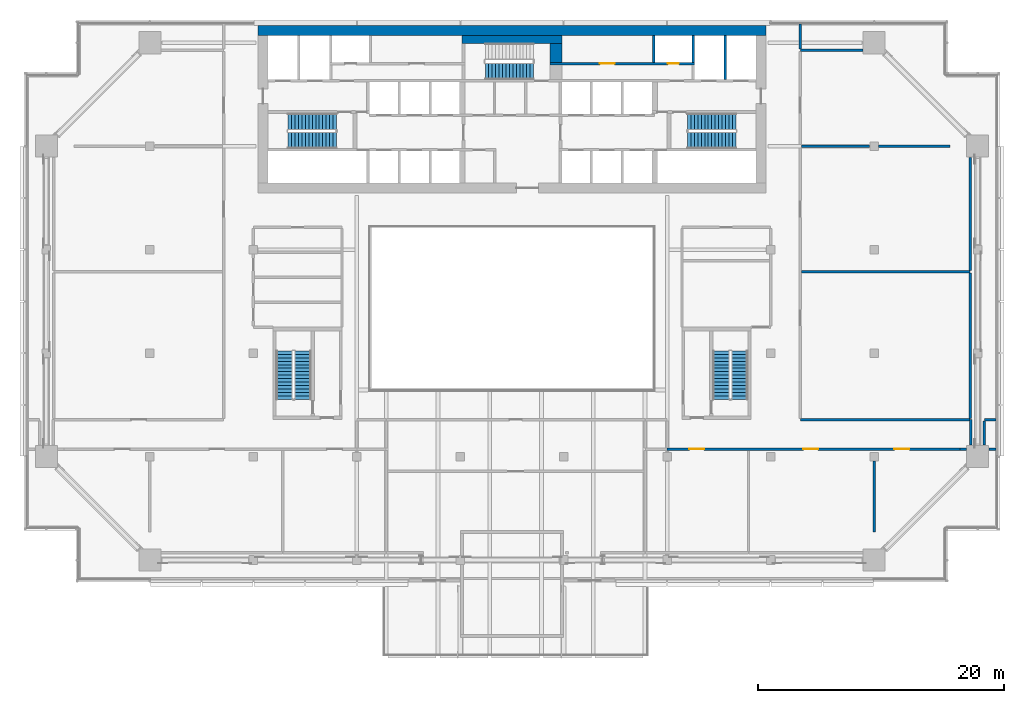
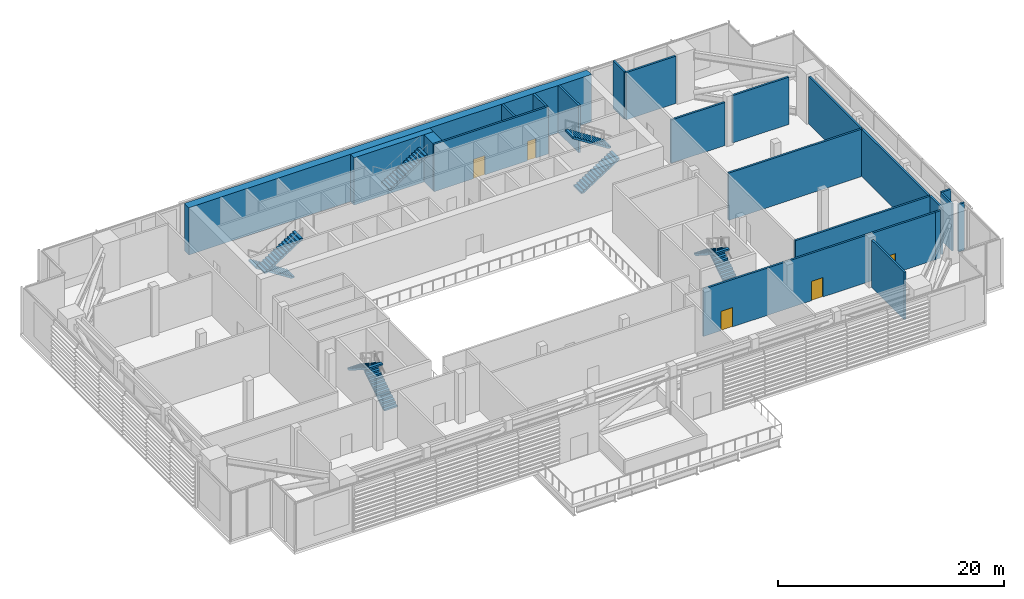
# One storey, part 17 of 29: 22 walls, 9 stair flights, 5 doors, 5 openings, 5 elements without a shape of their own.
"""IFC4 building model written with IfcOpenShell, lengths in metres."""

from ifc_helpers import new_model, si_unit, direction, frame, frame_2d, origin, place, context, subcontext, project, spatial, polyline, rectangle, outline, extrude, material, layer, layer_set, type_object, element, fill, aggregate, save


model = new_model("IFC4")

# Units and contexts
model_context = context("Model", 3, precision=1e-05, world=origin(), true_north=direction((0.0, 1.0)))
body_context = subcontext(model_context, "Body", "Model", "MODEL_VIEW")
ifc_project = project(units=[si_unit("LENGTHUNIT", "METRE"), si_unit("AREAUNIT", "SQUARE_METRE"), si_unit("VOLUMEUNIT", "CUBIC_METRE"), si_unit("PLANEANGLEUNIT", "RADIAN"), si_unit("MASSUNIT", "GRAM", prefix="KILO")], contexts=[model_context])

# Site, building, storey
site_placement = place(None, origin())
site = spatial("IfcSite", under=ifc_project, at=site_placement, CompositionType="ELEMENT")
building_placement = place(site_placement, origin())
building = spatial("IfcBuilding", under=site, at=building_placement, Name="Saffron Gate Tower", CompositionType="ELEMENT")
storey_placement = place(building_placement, frame((0.0, 0.0, 142.050048828125)))
storey = spatial("IfcBuildingStorey", under=building, at=storey_placement, Name="L34", CompositionType="ELEMENT", Elevation=142.050048828125)

# Walls
ifc_material_1 = material(Name="Concrete C60", Category="concrete")
ifc_layer_1 = layer(ifc_material_1, 0.800048828125)
ifc_layer_set_1 = layer_set([ifc_layer_1], Name="CW13 RC core wall 800 C60")
wall_type_1 = type_object("IfcWallType", Name="CW13 RC core wall 800 C60", PredefinedType="SOLIDWALL", material=ifc_layer_set_1)
wall_1_placement = place(storey_placement, frame((67.0, 74.800048828125, 0.0), z_axis=(0.0, 0.0, 1.0), x_axis=(1.0, 0.0, 0.0)))
element("IfcWall", 1, at=wall_1_placement, inside=storey, type_object=wall_type_1, Name="Wall CW13-L34-2", PredefinedType="SOLIDWALL", context=body_context, shape_type="SweptSolid", body=[
    extrude(rectangle(XDim=41.199951171875, YDim=0.800048828125, at=frame_2d((20.60009765625, 0.0))), origin(), (0.0, 0.0, 1.0), 5.119873046875),
])
ifc_layer_2 = layer(ifc_material_1, 0.199951171875)
ifc_layer_set_2 = layer_set([ifc_layer_2], Name="CW15 RC core wall 200 C60")
wall_type_2 = type_object("IfcWallType", Name="CW15 RC core wall 200 C60", PredefinedType="SOLIDWALL", material=ifc_layer_set_2)
wall_2_placement = place(storey_placement, frame((104.89990234375, 70.800048828125, 0.0), z_axis=(0.0, 0.0, 1.0), x_axis=(0.0, 1.0, 0.0)))
element("IfcWall", 2, at=wall_2_placement, inside=storey, type_object=wall_type_2, Name="Wall CW15-L34-40", PredefinedType="SOLIDWALL", context=body_context, shape_type="SweptSolid", body=[
    extrude(rectangle(XDim=3.599853515625, YDim=0.199951171875, at=frame_2d((1.7998046875, 0.0))), origin(), (0.0, 0.0, 1.0), 5.119873046875),
])

# Wall, openings, doors
wall_3_placement = place(storey_placement, frame((90.699951171875, 72.10009765625, 0.0), z_axis=(0.0, 0.0, 1.0), x_axis=(1.0, 0.0, 0.0)))
wall_3 = element("IfcWall", 3, at=wall_3_placement, inside=storey, type_object=wall_type_2, Name="Wall CW15-L34-42", PredefinedType="SOLIDWALL", context=body_context, shape_type="SweptSolid", body=[
    extrude(rectangle(XDim=11.699951171875, YDim=0.199951171875, at=frame_2d((5.85009765625, 0.0))), origin(), (0.0, 0.0, 1.0), 5.119873046875),
])
opening_1_placement = place(wall_3_placement, frame((4.02490234375, 0.0, 0.0)))
opening_1 = element("IfcOpeningElement", 4, at=opening_1_placement, cuts=wall_3, Name="Opening CR-52", PredefinedType="OPENING", context=body_context, shape_type="SweptSolid", body=[
    extrude(rectangle(XDim=1.199951171875, YDim=2.10009765625, at=frame_2d((0.60009765625, 1.050048828125))), frame((0.0, 0.10986328125, 0.0), z_axis=(0.0, -1.0, 0.0), x_axis=(1.0, 0.0, 0.0)), (0.0, 0.0, 1.0), 0.219970703125),
])
opening_2_placement = place(wall_3_placement, frame((9.550048828125, 0.0, 0.0)))
opening_2 = element("IfcOpeningElement", 5, at=opening_2_placement, cuts=wall_3, Name="Opening CR-70", PredefinedType="OPENING", context=body_context, shape_type="SweptSolid", body=[
    extrude(rectangle(XDim=0.89990234375, YDim=2.10009765625, at=frame_2d((0.449951171875, 1.050048828125))), frame((0.0, 0.10986328125, 0.0), z_axis=(0.0, -1.0, 0.0), x_axis=(1.0, 0.0, 0.0)), (0.0, 0.0, 1.0), 0.219970703125),
])
ifc_material_2 = material(Name="Steel fire door set", Category="steel")
door_type_1 = type_object("IfcDoorType", Name="CD10 Room door 1200x2100 EI 60", OperationType="NOTDEFINED", PredefinedType="DOOR", material=ifc_material_2)
door_1_placement = place(opening_1_placement, origin())
door_1 = element("IfcDoor", 6, at=door_1_placement, inside=storey, type_object=door_type_1, Name="DOOR CR-52", OperationType="SINGLE_SWING_LEFT", OverallHeight=2.10009765625, OverallWidth=1.199951171875, PredefinedType="DOOR", context=body_context, shape_type="SweptSolid", body=[
    extrude(rectangle(XDim=1.199951171875, YDim=2.10009765625, at=frame_2d((0.60009765625, 1.050048828125))), frame((0.0, 0.02490234375, 0.0), z_axis=(0.0, -1.0, 0.0), x_axis=(1.0, 0.0, 0.0)), (0.0, 0.0, 1.0), 0.050048828125),
])
fill(opening_1, door_1)
door_type_2 = type_object("IfcDoorType", Name="CD2 Riser door 900x2100 EI 60", OperationType="NOTDEFINED", PredefinedType="DOOR", material=ifc_material_2)
door_2_placement = place(opening_2_placement, origin())
door_2 = element("IfcDoor", 7, at=door_2_placement, inside=storey, type_object=door_type_2, Name="DOOR CR-70", OperationType="SINGLE_SWING_LEFT", OverallHeight=2.10009765625, OverallWidth=0.89990234375, PredefinedType="DOOR", context=body_context, shape_type="SweptSolid", body=[
    extrude(rectangle(XDim=0.89990234375, YDim=2.10009765625, at=frame_2d((0.449951171875, 1.050048828125))), frame((0.0, 0.02490234375, 0.0), z_axis=(0.0, -1.0, 0.0), x_axis=(1.0, 0.0, 0.0)), (0.0, 0.0, 1.0), 0.050048828125),
])
fill(opening_2, door_2)

# Walls
for number, where, z_axis, x_axis, name in (
    (8, (99.10009765625, 72.199951171875, 0.0), (0.0, 0.0, 1.0), (0.0, 1.0, 0.0), "Wall CW15-L34-47"),
    (9, (102.300048828125, 72.199951171875, 0.0), (0.0, 0.0, 1.0), (0.0, 1.0, 0.0), "Wall CW15-L34-48"),
):
    element("IfcWall", number, at=place(storey_placement, frame(where, z_axis=z_axis, x_axis=x_axis)), inside=storey, type_object=wall_type_2, Name=name, PredefinedType="SOLIDWALL", context=body_context, shape_type="SweptSolid", body=[
        extrude(rectangle(XDim=2.199951171875, YDim=0.199951171875, at=frame_2d((1.10009765625, 0.0))), origin(), (0.0, 0.0, 1.0), 5.119873046875),
    ])
ifc_layer_3 = layer(ifc_material_1, 0.949951171875)
ifc_layer_set_3 = layer_set([ifc_layer_3], Name="CW19 RC core wall 950 C60")
wall_type_3 = type_object("IfcWallType", Name="CW19 RC core wall 950 C60", PredefinedType="SOLIDWALL", material=ifc_layer_set_3)
wall_4_placement = place(storey_placement, frame((91.175048828125, 72.199951171875, 0.0), z_axis=(0.0, 0.0, 1.0), x_axis=(0.0, 1.0, 0.0)))
element("IfcWall", 10, at=wall_4_placement, inside=storey, type_object=wall_type_3, Name="Wall CW19-L34-46", PredefinedType="SOLIDWALL", context=body_context, shape_type="SweptSolid", body=[
    extrude(rectangle(XDim=1.550048828125, YDim=0.949951171875, at=frame_2d((0.77490234375, 0.0))), origin(), (0.0, 0.0, 1.0), 5.119873046875),
])
ifc_layer_4 = layer(ifc_material_1, 0.64990234375)
ifc_layer_set_4 = layer_set([ifc_layer_4], Name="CW20 RC core wall 650 C60")
wall_type_4 = type_object("IfcWallType", Name="CW20 RC core wall 650 C60", PredefinedType="SOLIDWALL", material=ifc_layer_set_4)
wall_5_placement = place(storey_placement, frame((83.550048828125, 74.074951171875, 0.0), z_axis=(0.0, 0.0, 1.0), x_axis=(1.0, 0.0, 0.0)))
element("IfcWall", 11, at=wall_5_placement, inside=storey, type_object=wall_type_4, Name="Wall CW20-L34-49", PredefinedType="SOLIDWALL", context=body_context, shape_type="SweptSolid", body=[
    extrude(rectangle(XDim=8.099853515625, YDim=0.64990234375, at=frame_2d((4.0498046875, 0.0))), origin(), (0.0, 0.0, 1.0), 5.119873046875),
])

# Wall, openings, doors
ifc_material_3 = material(Name="Clay brick masonry, rendered", Category="masonry")
ifc_layer_5 = layer(ifc_material_3, 0.199951171875)
ifc_layer_set_5 = layer_set([ifc_layer_5], Name="PW3 Corridor wall 200")
wall_type_5 = type_object("IfcWallType", Name="PW3 Corridor wall 200", PredefinedType="PARTITIONING", material=ifc_layer_set_5)
wall_6_placement = place(storey_placement, frame((123.948486328125, 40.800048828125, 0.0), z_axis=(0.0, 0.0, 1.0), x_axis=(-1.0, 0.0, 0.0)))
wall_6 = element("IfcWall", 12, at=wall_6_placement, inside=storey, type_object=wall_type_5, Name="Wall SL-10", PredefinedType="PARTITIONING", context=body_context, shape_type="SweptSolid", body=[
    extrude(rectangle(XDim=23.74853515625, YDim=0.199951171875, at=frame_2d((11.874267578125, 0.0))), origin(), (0.0, 0.0, 1.0), 5.119873046875),
])
opening_3_placement = place(wall_6_placement, frame((4.098388671875, 0.0, 0.0)))
opening_3 = element("IfcOpeningElement", 13, at=opening_3_placement, cuts=wall_6, Name="Opening SL-9", PredefinedType="OPENING", context=body_context, shape_type="SweptSolid", body=[
    extrude(rectangle(XDim=1.199951171875, YDim=2.10009765625, at=frame_2d((0.60009765625, 1.050048828125))), frame((0.0, 0.10986328125, 0.0), z_axis=(0.0, -1.0, 0.0), x_axis=(1.0, 0.0, 0.0)), (0.0, 0.0, 1.0), 0.219970703125),
])
opening_4_placement = place(wall_6_placement, frame((11.497314453125, 0.0, 0.0)))
opening_4 = element("IfcOpeningElement", 14, at=opening_4_placement, cuts=wall_6, Name="Opening SL-8", PredefinedType="OPENING", context=body_context, shape_type="SweptSolid", body=[
    extrude(rectangle(XDim=1.199951171875, YDim=2.10009765625, at=frame_2d((0.60009765625, 1.050048828125))), frame((0.0, 0.10986328125, 0.0), z_axis=(0.0, -1.0, 0.0), x_axis=(1.0, 0.0, 0.0)), (0.0, 0.0, 1.0), 0.219970703125),
])
opening_5_placement = place(wall_6_placement, frame((20.74853515625, 0.0, 0.0)))
opening_5 = element("IfcOpeningElement", 15, at=opening_5_placement, cuts=wall_6, Name="Opening SL-7", PredefinedType="OPENING", context=body_context, shape_type="SweptSolid", body=[
    extrude(rectangle(XDim=1.199951171875, YDim=2.10009765625, at=frame_2d((0.60009765625, 1.050048828125))), frame((0.0, 0.10986328125, 0.0), z_axis=(0.0, -1.0, 0.0), x_axis=(1.0, 0.0, 0.0)), (0.0, 0.0, 1.0), 0.219970703125),
])
ifc_material_4 = material(Name="Timber door set", Category="wood")
door_type_3 = type_object("IfcDoorType", Name="HD1 Hall door 1200x2100", OperationType="NOTDEFINED", PredefinedType="DOOR", material=ifc_material_4)
door_3_placement = place(opening_3_placement, origin())
door_3 = element("IfcDoor", 16, at=door_3_placement, inside=storey, type_object=door_type_3, Name="Door SL-9", OperationType="SINGLE_SWING_RIGHT", OverallHeight=2.10009765625, OverallWidth=1.199951171875, PredefinedType="DOOR", context=body_context, shape_type="SweptSolid", body=[
    extrude(rectangle(XDim=1.199951171875, YDim=2.10009765625, at=frame_2d((0.60009765625, 1.050048828125))), frame((0.0, 0.02490234375, 0.0), z_axis=(0.0, -1.0, 0.0), x_axis=(1.0, 0.0, 0.0)), (0.0, 0.0, 1.0), 0.050048828125),
])
fill(opening_3, door_3)
door_4_placement = place(opening_4_placement, origin())
door_4 = element("IfcDoor", 17, at=door_4_placement, inside=storey, type_object=door_type_3, Name="Door SL-8", OperationType="SINGLE_SWING_RIGHT", OverallHeight=2.10009765625, OverallWidth=1.199951171875, PredefinedType="DOOR", context=body_context, shape_type="SweptSolid", body=[
    extrude(rectangle(XDim=1.199951171875, YDim=2.10009765625, at=frame_2d((0.60009765625, 1.050048828125))), frame((0.0, 0.02490234375, 0.0), z_axis=(0.0, -1.0, 0.0), x_axis=(1.0, 0.0, 0.0)), (0.0, 0.0, 1.0), 0.050048828125),
])
fill(opening_4, door_4)
door_5_placement = place(opening_5_placement, origin())
door_5 = element("IfcDoor", 18, at=door_5_placement, inside=storey, type_object=door_type_3, Name="Door SL-7", OperationType="SINGLE_SWING_RIGHT", OverallHeight=2.10009765625, OverallWidth=1.199951171875, PredefinedType="DOOR", context=body_context, shape_type="SweptSolid", body=[
    extrude(rectangle(XDim=1.199951171875, YDim=2.10009765625, at=frame_2d((0.60009765625, 1.050048828125))), frame((0.0, 0.02490234375, 0.0), z_axis=(0.0, -1.0, 0.0), x_axis=(1.0, 0.0, 0.0)), (0.0, 0.0, 1.0), 0.050048828125),
])
fill(opening_5, door_5)

# Walls
wall_7_placement = place(storey_placement, frame((111.0, 43.199951171875, 0.0), z_axis=(0.0, 0.0, 1.0), x_axis=(1.0, 0.0, 0.0)))
element("IfcWall", 19, at=wall_7_placement, inside=storey, type_object=wall_type_5, Name="Wall SL-19", PredefinedType="PARTITIONING", context=body_context, shape_type="SweptSolid", body=[
    extrude(rectangle(XDim=13.800048828125, YDim=0.199951171875, at=frame_2d((6.89990234375, 0.0))), origin(), (0.0, 0.0, 1.0), 5.119873046875),
])
ifc_layer_6 = layer(ifc_material_3, 0.199951171875)
ifc_layer_set_6 = layer_set([ifc_layer_6], Name="PW5 Room wall 200")
wall_type_6 = type_object("IfcWallType", Name="PW5 Room wall 200", PredefinedType="PARTITIONING", material=ifc_layer_set_6)
wall_8_placement = place(storey_placement, frame((123.968505859375, 40.800048828125, 0.0), z_axis=(0.0, 0.0, 1.0), x_axis=(1.0, 0.0, 0.0)))
element("IfcWall", 20, at=wall_8_placement, inside=storey, type_object=wall_type_6, Name="Wall SL-15", PredefinedType="PARTITIONING", context=body_context, shape_type="SweptSolid", body=[
    extrude(rectangle(XDim=0.511474609375, YDim=0.199951171875, at=frame_2d((0.255859375, 0.0))), origin(), (0.0, 0.0, 1.0), 5.119873046875),
])
wall_9_placement = place(storey_placement, frame((126.320068359375, 40.800048828125, 0.0), z_axis=(0.0, 0.0, 1.0), x_axis=(1.0, 0.0, 0.0)))
element("IfcWall", 21, at=wall_9_placement, inside=storey, type_object=wall_type_6, Name="Wall SL-16", PredefinedType="PARTITIONING", context=body_context, shape_type="SweptSolid", body=[
    extrude(rectangle(XDim=0.579833984375, YDim=0.199951171875, at=frame_2d((0.2900390625, 0.0))), origin(), (0.0, 0.0, 1.0), 5.119873046875),
])
wall_10_placement = place(storey_placement, frame((125.949951171875, 43.199951171875, 0.0), z_axis=(0.0, 0.0, 1.0), x_axis=(1.0, 0.0, 0.0)))
element("IfcWall", 22, at=wall_10_placement, inside=storey, type_object=wall_type_6, Name="Wall SL-23", PredefinedType="PARTITIONING", context=body_context, shape_type="SweptSolid", body=[
    extrude(rectangle(XDim=0.949951171875, YDim=0.199951171875, at=frame_2d((0.47509765625, 0.0))), origin(), (0.0, 0.0, 1.0), 5.119873046875),
])
wall_11_placement = place(storey_placement, frame((111.10009765625, 55.199951171875, 0.0), z_axis=(0.0, 0.0, 1.0), x_axis=(1.0, 0.0, 0.0)))
element("IfcWall", 23, at=wall_11_placement, inside=storey, type_object=wall_type_6, Name="Wall SL-29", PredefinedType="PARTITIONING", context=body_context, shape_type="SweptSolid", body=[
    extrude(rectangle(XDim=13.699951171875, YDim=0.199951171875, at=frame_2d((6.85009765625, 0.0))), origin(), (0.0, 0.0, 1.0), 5.119873046875),
])
wall_12_placement = place(storey_placement, frame((111.10009765625, 65.39990234375, 0.0), z_axis=(0.0, 0.0, 1.0), x_axis=(1.0, 0.0, 0.0)))
element("IfcWall", 24, at=wall_12_placement, inside=storey, type_object=wall_type_6, Name="Wall SL-36", PredefinedType="PARTITIONING", context=body_context, shape_type="SweptSolid", body=[
    extrude(rectangle(XDim=5.52978515625, YDim=0.199951171875, at=frame_2d((2.764892578125, 0.0))), origin(), (0.0, 0.0, 1.0), 4.669921875),
])
wall_13_placement = place(storey_placement, frame((117.3701171875, 65.39990234375, 0.0), z_axis=(0.0, 0.0, 1.0), x_axis=(1.0, 0.0, 0.0)))
element("IfcWall", 25, at=wall_13_placement, inside=storey, type_object=wall_type_6, Name="Wall SL-37", PredefinedType="PARTITIONING", context=body_context, shape_type="SweptSolid", body=[
    extrude(rectangle(XDim=5.76708984375, YDim=0.199951171875, at=frame_2d((2.883544921875, 0.0))), origin(), (0.0, 0.0, 1.0), 5.119873046875),
])
wall_14_placement = place(storey_placement, frame((111.02001953125, 73.199951171875, 0.0), z_axis=(0.0, 0.0, 1.0), x_axis=(1.0, 0.0, 0.0)))
element("IfcWall", 26, at=wall_14_placement, inside=storey, type_object=wall_type_6, Name="Wall SL-39", PredefinedType="PARTITIONING", context=body_context, shape_type="SweptSolid", body=[
    extrude(rectangle(XDim=5.06005859375, YDim=0.199951171875, at=frame_2d((2.530029296875, 0.0))), origin(), (0.0, 0.0, 1.0), 5.119873046875),
])
wall_15_placement = place(storey_placement, frame((111.0, 75.300048828125, 0.0), z_axis=(0.0, 0.0, 1.0), x_axis=(0.0, -1.0, 0.0)))
element("IfcWall", 27, at=wall_15_placement, inside=storey, type_object=wall_type_6, Name="Wall SL-62", PredefinedType="PARTITIONING", context=body_context, shape_type="SweptSolid", body=[
    extrude(rectangle(XDim=2.0, YDim=0.199951171875, at=frame_2d((1.0, 0.0))), origin(), (0.0, 0.0, 1.0), 5.119873046875),
])
wall_16_placement = place(storey_placement, frame((117.0, 39.830078125, 0.0), z_axis=(0.0, 0.0, 1.0), x_axis=(0.0, -1.0, 0.0)))
element("IfcWall", 28, at=wall_16_placement, inside=storey, type_object=wall_type_6, Name="Wall SL-63", PredefinedType="PARTITIONING", context=body_context, shape_type="SweptSolid", body=[
    extrude(rectangle(XDim=5.767333984375, YDim=0.199951171875, at=frame_2d((2.8837890625, 0.0))), origin(), (0.0, 0.0, 1.0), 5.119873046875),
])
wall_17_placement = place(storey_placement, frame((124.800048828125, 55.10009765625, 0.0), z_axis=(0.0, 0.0, 1.0), x_axis=(0.0, -1.0, 0.0)))
element("IfcWall", 29, at=wall_17_placement, inside=storey, type_object=wall_type_6, Name="Wall SL-64", PredefinedType="PARTITIONING", context=body_context, shape_type="SweptSolid", body=[
    extrude(rectangle(XDim=11.800048828125, YDim=0.199951171875, at=frame_2d((5.89990234375, 0.0))), origin(), (0.0, 0.0, 1.0), 5.119873046875),
])
wall_18_placement = place(storey_placement, frame((124.800048828125, 64.47998046875, 0.0), z_axis=(0.0, 0.0, 1.0), x_axis=(0.0, -1.0, 0.0)))
element("IfcWall", 30, at=wall_18_placement, inside=storey, type_object=wall_type_6, Name="Wall SL-65", PredefinedType="PARTITIONING", context=body_context, shape_type="SweptSolid", body=[
    extrude(rectangle(XDim=9.179931640625, YDim=0.199951171875, at=frame_2d((4.58984375, 0.0))), origin(), (0.0, 0.0, 1.0), 5.119873046875),
])
wall_19_placement = place(storey_placement, frame((124.85009765625, 43.199951171875, 0.0), z_axis=(0.0, 0.0, 1.0), x_axis=(0.0, -1.0, 0.0)))
element("IfcWall", 31, at=wall_19_placement, inside=storey, type_object=wall_type_6, Name="Wall SL-66", PredefinedType="PARTITIONING", context=body_context, shape_type="SweptSolid", body=[
    extrude(rectangle(XDim=2.079833984375, YDim=0.199951171875, at=frame_2d((1.0400390625, 0.0))), origin(), (0.0, 0.0, 1.0), 5.119873046875),
])
wall_20_placement = place(storey_placement, frame((125.949951171875, 43.10009765625, 0.0), z_axis=(0.0, 0.0, 1.0), x_axis=(0.0, -1.0, 0.0)))
element("IfcWall", 32, at=wall_20_placement, inside=storey, type_object=wall_type_6, Name="Wall SL-67", PredefinedType="PARTITIONING", context=body_context, shape_type="SweptSolid", body=[
    extrude(rectangle(XDim=1.97998046875, YDim=0.199951171875, at=frame_2d((0.989990234375, 0.0))), origin(), (0.0, 0.0, 1.0), 5.119873046875),
])

# Stair, stair flights
ifc_material_5 = material(Name="Concrete C40", Category="concrete")
stair_type = type_object("IfcStairType", Name="ST4 Stair 1350 wide, 30 risers of 180", PredefinedType="HALF_TURN_STAIR", material=ifc_material_5)
stair_1_placement = place(storey_placement, origin())
stair_1 = element("IfcStair", 33, at=stair_1_placement, inside=storey, type_object=stair_type, Name="L34 Exit stair A", PredefinedType="HALF_TURN_STAIR")
stair_flight_type = type_object("IfcStairFlightType", Name="SF3 Stair flight 1350 wide, riser 180 going 280", PredefinedType="STRAIGHT", material=ifc_material_5)
stair_flight_1_placement = place(storey_placement, frame((73.35009765625, 67.375, 0.0), z_axis=(0.0, 0.0, 1.0), x_axis=(-1.0, 0.0, 0.0)))
stair_flight_1 = element("IfcStairFlight", 34, at=stair_flight_1_placement, type_object=stair_flight_type, Name="ST-A flight 1", NumberOfRisers=15, NumberOfTreads=14, PredefinedType="STRAIGHT", RiserHeight=0.18, TreadLength=0.28, context=body_context, shape_type="SweptSolid", body=[
    extrude(outline(polyline([(0.0, 0.0), (0.0, 0.179931640625), (0.280029296875, 0.179931640625), (0.280029296875, 0.360107421875), (0.56005859375, 0.360107421875), (0.56005859375, 0.5400390625), (0.840087890625, 0.5400390625), (0.840087890625, 0.719970703125), (1.1201171875, 0.719970703125), (1.1201171875, 0.89990234375), (1.39990234375, 0.89990234375), (1.39990234375, 1.080078125), (1.679931640625, 1.080078125), (1.679931640625, 1.260009765625), (1.9599609375, 1.260009765625), (1.9599609375, 1.43994140625), (2.239990234375, 1.43994140625), (2.239990234375, 1.6201171875), (2.52001953125, 1.6201171875), (2.52001953125, 1.800048828125), (2.800048828125, 1.800048828125), (2.800048828125, 1.97998046875), (3.080078125, 1.97998046875), (3.080078125, 2.159912109375), (3.360107421875, 2.159912109375), (3.360107421875, 2.340087890625), (3.639892578125, 2.340087890625), (3.639892578125, 2.52001953125), (3.919921875, 2.52001953125), (3.919921875, 2.699951171875), (3.919921875, 2.341796875), (0.277099609375, 0.0), (0.0, 0.0)])), frame((0.0, 0.675048828125, 0.0), z_axis=(0.0, -1.0, 0.0), x_axis=(1.0, 0.0, 0.0)), (0.0, 0.0, 1.0), 1.35009765625),
])
stair_flight_2_placement = place(storey_placement, frame((69.429931640625, 65.875, 2.699951171875), z_axis=(0.0, 0.0, 1.0), x_axis=(1.0, 0.0, 0.0)))
stair_flight_2 = element("IfcStairFlight", 35, at=stair_flight_2_placement, type_object=stair_flight_type, Name="ST-A flight 2", NumberOfRisers=15, NumberOfTreads=14, PredefinedType="STRAIGHT", RiserHeight=0.18, TreadLength=0.28, context=body_context, shape_type="SweptSolid", body=[
    extrude(outline(polyline([(0.0, 0.0), (0.0, 0.179931640625), (0.280029296875, 0.179931640625), (0.280029296875, 0.360107421875), (0.56005859375, 0.360107421875), (0.56005859375, 0.5400390625), (0.840087890625, 0.5400390625), (0.840087890625, 0.719970703125), (1.1201171875, 0.719970703125), (1.1201171875, 0.89990234375), (1.39990234375, 0.89990234375), (1.39990234375, 1.080078125), (1.679931640625, 1.080078125), (1.679931640625, 1.260009765625), (1.9599609375, 1.260009765625), (1.9599609375, 1.43994140625), (2.239990234375, 1.43994140625), (2.239990234375, 1.6201171875), (2.52001953125, 1.6201171875), (2.52001953125, 1.800048828125), (2.800048828125, 1.800048828125), (2.800048828125, 1.97998046875), (3.080078125, 1.97998046875), (3.080078125, 2.159912109375), (3.360107421875, 2.159912109375), (3.360107421875, 2.340087890625), (3.639892578125, 2.340087890625), (3.639892578125, 2.52001953125), (3.919921875, 2.52001953125), (3.919921875, 2.699951171875), (3.919921875, 2.341796875), (0.277099609375, 0.0), (0.0, 0.0)])), frame((0.0, 0.675048828125, 0.0), z_axis=(0.0, -1.0, 0.0), x_axis=(1.0, 0.0, 0.0)), (0.0, 0.0, 1.0), 1.35009765625),
])
aggregate(stair_1, [stair_flight_1, stair_flight_2])

stair_2_placement = place(storey_placement, origin())
stair_2 = element("IfcStair", 36, at=stair_2_placement, inside=storey, type_object=stair_type, Name="L34 Exit stair B", PredefinedType="HALF_TURN_STAIR")
stair_flight_3_placement = place(storey_placement, frame((101.85009765625, 65.875, 0.0), z_axis=(0.0, 0.0, 1.0), x_axis=(1.0, 0.0, 0.0)))
stair_flight_3 = element("IfcStairFlight", 37, at=stair_flight_3_placement, type_object=stair_flight_type, Name="ST-B flight 1", NumberOfRisers=15, NumberOfTreads=14, PredefinedType="STRAIGHT", RiserHeight=0.18, TreadLength=0.28, context=body_context, shape_type="SweptSolid", body=[
    extrude(outline(polyline([(0.0, 0.0), (0.0, 0.179931640625), (0.280029296875, 0.179931640625), (0.280029296875, 0.360107421875), (0.56005859375, 0.360107421875), (0.56005859375, 0.5400390625), (0.840087890625, 0.5400390625), (0.840087890625, 0.719970703125), (1.1201171875, 0.719970703125), (1.1201171875, 0.89990234375), (1.39990234375, 0.89990234375), (1.39990234375, 1.080078125), (1.679931640625, 1.080078125), (1.679931640625, 1.260009765625), (1.9599609375, 1.260009765625), (1.9599609375, 1.43994140625), (2.239990234375, 1.43994140625), (2.239990234375, 1.6201171875), (2.52001953125, 1.6201171875), (2.52001953125, 1.800048828125), (2.800048828125, 1.800048828125), (2.800048828125, 1.97998046875), (3.080078125, 1.97998046875), (3.080078125, 2.159912109375), (3.360107421875, 2.159912109375), (3.360107421875, 2.340087890625), (3.639892578125, 2.340087890625), (3.639892578125, 2.52001953125), (3.919921875, 2.52001953125), (3.919921875, 2.699951171875), (3.919921875, 2.341796875), (0.277099609375, 0.0), (0.0, 0.0)])), frame((0.0, 0.675048828125, 0.0), z_axis=(0.0, -1.0, 0.0), x_axis=(1.0, 0.0, 0.0)), (0.0, 0.0, 1.0), 1.35009765625),
])
stair_flight_4_placement = place(storey_placement, frame((105.77001953125, 67.375, 2.699951171875), z_axis=(0.0, 0.0, 1.0), x_axis=(-1.0, 0.0, 0.0)))
stair_flight_4 = element("IfcStairFlight", 38, at=stair_flight_4_placement, type_object=stair_flight_type, Name="ST-B flight 2", NumberOfRisers=15, NumberOfTreads=14, PredefinedType="STRAIGHT", RiserHeight=0.18, TreadLength=0.28, context=body_context, shape_type="SweptSolid", body=[
    extrude(outline(polyline([(0.0, 0.0), (0.0, 0.179931640625), (0.280029296875, 0.179931640625), (0.280029296875, 0.360107421875), (0.56005859375, 0.360107421875), (0.56005859375, 0.5400390625), (0.840087890625, 0.5400390625), (0.840087890625, 0.719970703125), (1.1201171875, 0.719970703125), (1.1201171875, 0.89990234375), (1.39990234375, 0.89990234375), (1.39990234375, 1.080078125), (1.679931640625, 1.080078125), (1.679931640625, 1.260009765625), (1.9599609375, 1.260009765625), (1.9599609375, 1.43994140625), (2.239990234375, 1.43994140625), (2.239990234375, 1.6201171875), (2.52001953125, 1.6201171875), (2.52001953125, 1.800048828125), (2.800048828125, 1.800048828125), (2.800048828125, 1.97998046875), (3.080078125, 1.97998046875), (3.080078125, 2.159912109375), (3.360107421875, 2.159912109375), (3.360107421875, 2.340087890625), (3.639892578125, 2.340087890625), (3.639892578125, 2.52001953125), (3.919921875, 2.52001953125), (3.919921875, 2.699951171875), (3.919921875, 2.341796875), (0.277099609375, 0.0), (0.0, 0.0)])), frame((0.0, 0.675048828125, 0.0), z_axis=(0.0, -1.0, 0.0), x_axis=(1.0, 0.0, 0.0)), (0.0, 0.0, 1.0), 1.35009765625),
])
aggregate(stair_2, [stair_flight_3, stair_flight_4])

# Stair, stair flight
stair_3_placement = place(storey_placement, origin())
stair_3 = element("IfcStair", 39, at=stair_3_placement, inside=storey, type_object=stair_type, Name="L34 Exit stair C", PredefinedType="HALF_TURN_STAIR")
stair_flight_5_placement = place(storey_placement, frame((85.429931640625, 71.47509765625, 2.699951171875), z_axis=(0.0, 0.0, 1.0), x_axis=(1.0, 0.0, 0.0)))
stair_flight_5 = element("IfcStairFlight", 40, at=stair_flight_5_placement, type_object=stair_flight_type, Name="ST-C flight 2", NumberOfRisers=15, NumberOfTreads=14, PredefinedType="STRAIGHT", RiserHeight=0.18, TreadLength=0.28, context=body_context, shape_type="SweptSolid", body=[
    extrude(outline(polyline([(0.0, 0.0), (0.0, 0.179931640625), (0.280029296875, 0.179931640625), (0.280029296875, 0.360107421875), (0.56005859375, 0.360107421875), (0.56005859375, 0.5400390625), (0.840087890625, 0.5400390625), (0.840087890625, 0.719970703125), (1.1201171875, 0.719970703125), (1.1201171875, 0.89990234375), (1.39990234375, 0.89990234375), (1.39990234375, 1.080078125), (1.679931640625, 1.080078125), (1.679931640625, 1.260009765625), (1.9599609375, 1.260009765625), (1.9599609375, 1.43994140625), (2.239990234375, 1.43994140625), (2.239990234375, 1.6201171875), (2.52001953125, 1.6201171875), (2.52001953125, 1.800048828125), (2.800048828125, 1.800048828125), (2.800048828125, 1.97998046875), (3.080078125, 1.97998046875), (3.080078125, 2.159912109375), (3.360107421875, 2.159912109375), (3.360107421875, 2.340087890625), (3.639892578125, 2.340087890625), (3.639892578125, 2.52001953125), (3.919921875, 2.52001953125), (3.919921875, 2.699951171875), (3.919921875, 2.341796875), (0.277099609375, 0.0), (0.0, 0.0)])), frame((0.0, 0.675048828125, 0.0), z_axis=(0.0, -1.0, 0.0), x_axis=(1.0, 0.0, 0.0)), (0.0, 0.0, 1.0), 1.35009765625),
])
aggregate(stair_3, [stair_flight_5])

# Stair, stair flights
stair_4_placement = place(storey_placement, origin())
stair_4 = element("IfcStair", 41, at=stair_4_placement, inside=storey, type_object=stair_type, Name="L34 Exit stair D", PredefinedType="HALF_TURN_STAIR")
stair_flight_6_placement = place(storey_placement, frame((70.625, 44.85009765625, 0.0), z_axis=(0.0, 0.0, 1.0), x_axis=(0.0, 1.0, 0.0)))
stair_flight_6 = element("IfcStairFlight", 42, at=stair_flight_6_placement, type_object=stair_flight_type, Name="ST-D flight 1", NumberOfRisers=15, NumberOfTreads=14, PredefinedType="STRAIGHT", RiserHeight=0.18, TreadLength=0.28, context=body_context, shape_type="SweptSolid", body=[
    extrude(outline(polyline([(0.0, 0.0), (0.0, 0.179931640625), (0.280029296875, 0.179931640625), (0.280029296875, 0.360107421875), (0.56005859375, 0.360107421875), (0.56005859375, 0.5400390625), (0.840087890625, 0.5400390625), (0.840087890625, 0.719970703125), (1.1201171875, 0.719970703125), (1.1201171875, 0.89990234375), (1.39990234375, 0.89990234375), (1.39990234375, 1.080078125), (1.679931640625, 1.080078125), (1.679931640625, 1.260009765625), (1.9599609375, 1.260009765625), (1.9599609375, 1.43994140625), (2.239990234375, 1.43994140625), (2.239990234375, 1.6201171875), (2.52001953125, 1.6201171875), (2.52001953125, 1.800048828125), (2.800048828125, 1.800048828125), (2.800048828125, 1.97998046875), (3.080078125, 1.97998046875), (3.080078125, 2.159912109375), (3.360107421875, 2.159912109375), (3.360107421875, 2.340087890625), (3.639892578125, 2.340087890625), (3.639892578125, 2.52001953125), (3.919921875, 2.52001953125), (3.919921875, 2.699951171875), (3.919921875, 2.341796875), (0.277099609375, 0.0), (0.0, 0.0)])), frame((0.0, 0.675048828125, 0.0), z_axis=(0.0, -1.0, 0.0), x_axis=(1.0, 0.0, 0.0)), (0.0, 0.0, 1.0), 1.35009765625),
])
stair_flight_7_placement = place(storey_placement, frame((69.125, 48.77001953125, 2.699951171875), z_axis=(0.0, 0.0, 1.0), x_axis=(0.0, -1.0, 0.0)))
stair_flight_7 = element("IfcStairFlight", 43, at=stair_flight_7_placement, type_object=stair_flight_type, Name="ST-D flight 2", NumberOfRisers=15, NumberOfTreads=14, PredefinedType="STRAIGHT", RiserHeight=0.18, TreadLength=0.28, context=body_context, shape_type="SweptSolid", body=[
    extrude(outline(polyline([(0.0, 0.0), (0.0, 0.179931640625), (0.280029296875, 0.179931640625), (0.280029296875, 0.360107421875), (0.56005859375, 0.360107421875), (0.56005859375, 0.5400390625), (0.840087890625, 0.5400390625), (0.840087890625, 0.719970703125), (1.1201171875, 0.719970703125), (1.1201171875, 0.89990234375), (1.39990234375, 0.89990234375), (1.39990234375, 1.080078125), (1.679931640625, 1.080078125), (1.679931640625, 1.260009765625), (1.9599609375, 1.260009765625), (1.9599609375, 1.43994140625), (2.239990234375, 1.43994140625), (2.239990234375, 1.6201171875), (2.52001953125, 1.6201171875), (2.52001953125, 1.800048828125), (2.800048828125, 1.800048828125), (2.800048828125, 1.97998046875), (3.080078125, 1.97998046875), (3.080078125, 2.159912109375), (3.360107421875, 2.159912109375), (3.360107421875, 2.340087890625), (3.639892578125, 2.340087890625), (3.639892578125, 2.52001953125), (3.919921875, 2.52001953125), (3.919921875, 2.699951171875), (3.919921875, 2.341796875), (0.277099609375, 0.0), (0.0, 0.0)])), frame((0.0, 0.675048828125, 0.0), z_axis=(0.0, -1.0, 0.0), x_axis=(1.0, 0.0, 0.0)), (0.0, 0.0, 1.0), 1.35009765625),
])
aggregate(stair_4, [stair_flight_6, stair_flight_7])

stair_5_placement = place(storey_placement, origin())
stair_5 = element("IfcStair", 44, at=stair_5_placement, inside=storey, type_object=stair_type, Name="L34 Exit stair E", PredefinedType="HALF_TURN_STAIR")
stair_flight_8_placement = place(storey_placement, frame((106.074951171875, 44.85009765625, 0.0), z_axis=(0.0, 0.0, 1.0), x_axis=(0.0, 1.0, 0.0)))
stair_flight_8 = element("IfcStairFlight", 45, at=stair_flight_8_placement, type_object=stair_flight_type, Name="ST-E flight 1", NumberOfRisers=15, NumberOfTreads=14, PredefinedType="STRAIGHT", RiserHeight=0.18, TreadLength=0.28, context=body_context, shape_type="SweptSolid", body=[
    extrude(outline(polyline([(0.0, 0.0), (0.0, 0.179931640625), (0.280029296875, 0.179931640625), (0.280029296875, 0.360107421875), (0.56005859375, 0.360107421875), (0.56005859375, 0.5400390625), (0.840087890625, 0.5400390625), (0.840087890625, 0.719970703125), (1.1201171875, 0.719970703125), (1.1201171875, 0.89990234375), (1.39990234375, 0.89990234375), (1.39990234375, 1.080078125), (1.679931640625, 1.080078125), (1.679931640625, 1.260009765625), (1.9599609375, 1.260009765625), (1.9599609375, 1.43994140625), (2.239990234375, 1.43994140625), (2.239990234375, 1.6201171875), (2.52001953125, 1.6201171875), (2.52001953125, 1.800048828125), (2.800048828125, 1.800048828125), (2.800048828125, 1.97998046875), (3.080078125, 1.97998046875), (3.080078125, 2.159912109375), (3.360107421875, 2.159912109375), (3.360107421875, 2.340087890625), (3.639892578125, 2.340087890625), (3.639892578125, 2.52001953125), (3.919921875, 2.52001953125), (3.919921875, 2.699951171875), (3.919921875, 2.341796875), (0.277099609375, 0.0), (0.0, 0.0)])), frame((0.0, 0.675048828125, 0.0), z_axis=(0.0, -1.0, 0.0), x_axis=(1.0, 0.0, 0.0)), (0.0, 0.0, 1.0), 1.35009765625),
])
stair_flight_9_placement = place(storey_placement, frame((104.574951171875, 48.77001953125, 2.699951171875), z_axis=(0.0, 0.0, 1.0), x_axis=(0.0, -1.0, 0.0)))
stair_flight_9 = element("IfcStairFlight", 46, at=stair_flight_9_placement, type_object=stair_flight_type, Name="ST-E flight 2", NumberOfRisers=15, NumberOfTreads=14, PredefinedType="STRAIGHT", RiserHeight=0.18, TreadLength=0.28, context=body_context, shape_type="SweptSolid", body=[
    extrude(outline(polyline([(0.0, 0.0), (0.0, 0.179931640625), (0.280029296875, 0.179931640625), (0.280029296875, 0.360107421875), (0.56005859375, 0.360107421875), (0.56005859375, 0.5400390625), (0.840087890625, 0.5400390625), (0.840087890625, 0.719970703125), (1.1201171875, 0.719970703125), (1.1201171875, 0.89990234375), (1.39990234375, 0.89990234375), (1.39990234375, 1.080078125), (1.679931640625, 1.080078125), (1.679931640625, 1.260009765625), (1.9599609375, 1.260009765625), (1.9599609375, 1.43994140625), (2.239990234375, 1.43994140625), (2.239990234375, 1.6201171875), (2.52001953125, 1.6201171875), (2.52001953125, 1.800048828125), (2.800048828125, 1.800048828125), (2.800048828125, 1.97998046875), (3.080078125, 1.97998046875), (3.080078125, 2.159912109375), (3.360107421875, 2.159912109375), (3.360107421875, 2.340087890625), (3.639892578125, 2.340087890625), (3.639892578125, 2.52001953125), (3.919921875, 2.52001953125), (3.919921875, 2.699951171875), (3.919921875, 2.341796875), (0.277099609375, 0.0), (0.0, 0.0)])), frame((0.0, 0.675048828125, 0.0), z_axis=(0.0, -1.0, 0.0), x_axis=(1.0, 0.0, 0.0)), (0.0, 0.0, 1.0), 1.35009765625),
])
aggregate(stair_5, [stair_flight_8, stair_flight_9])

save(model, "model.ifc")
